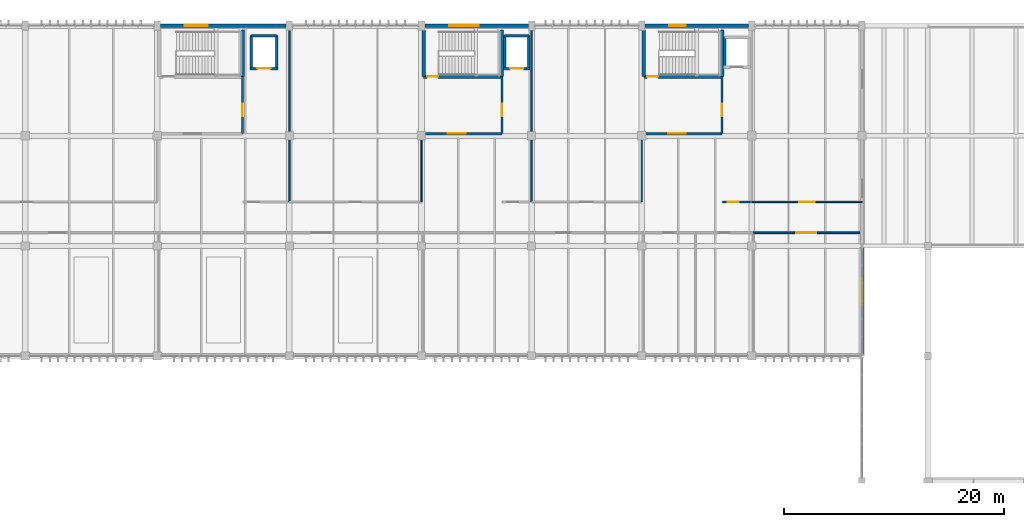
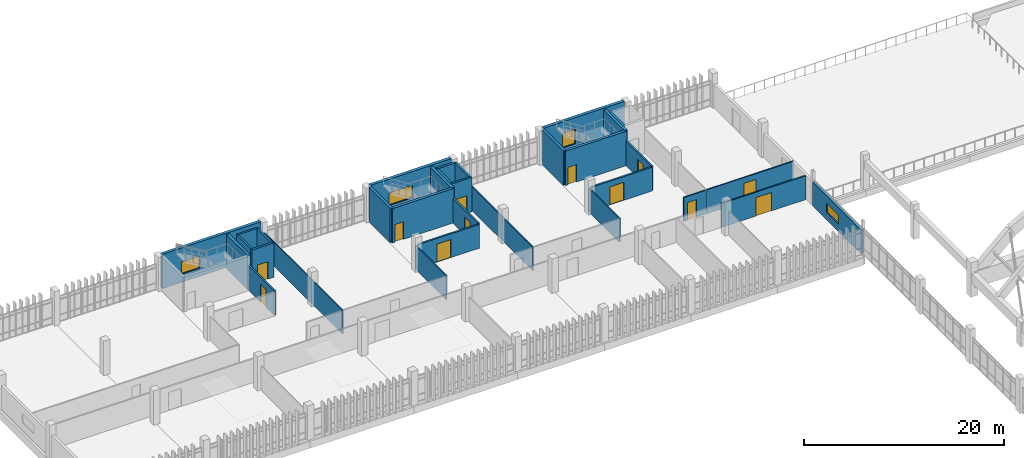
# One storey, part 105 of 111: 32 walls, 12 doors, 4 windows, 16 openings.
"""IFC4 building model written with IfcOpenShell, lengths in metres."""

from ifc_helpers import new_model, si_unit, direction, frame, frame_2d, origin, place, context, subcontext, project, spatial, rectangle, extrude, material, layer, layer_set, type_object, element, fill, save


model = new_model("IFC4")

# Units and contexts
model_context = context("Model", 3, precision=1e-05, world=origin(), true_north=direction((0.0, 1.0)))
body_context = subcontext(model_context, "Body", "Model", "MODEL_VIEW")
ifc_project = project(units=[si_unit("LENGTHUNIT", "METRE"), si_unit("AREAUNIT", "SQUARE_METRE"), si_unit("VOLUMEUNIT", "CUBIC_METRE"), si_unit("PLANEANGLEUNIT", "RADIAN"), si_unit("MASSUNIT", "GRAM", prefix="KILO")], contexts=[model_context])

# Site, building, storey
site_placement = place(None, origin())
site = spatial("IfcSite", under=ifc_project, at=site_placement, CompositionType="ELEMENT")
building_placement = place(site_placement, origin())
building = spatial("IfcBuilding", under=site, at=building_placement, Name="Mersad Railyard Sports Hall", CompositionType="ELEMENT")
storey_placement = place(building_placement, frame((0.0, 0.0, 9.0)))
storey = spatial("IfcBuildingStorey", under=building, at=storey_placement, Name="L02", CompositionType="ELEMENT", Elevation=9.0)

# Wall, opening, window
ifc_material_1 = material(Name="Architectural concrete C50/60", Category="concrete")
ifc_layer_1 = layer(ifc_material_1, 0.35009765625)
ifc_layer_set_1 = layer_set([ifc_layer_1], Name="Architectural concrete C50/60")
wall_type_1 = type_object("IfcWallType", Name="ARC-WL-EW02", PredefinedType="SOLIDWALL", material=ifc_layer_set_1)
wall_1_placement = place(storey_placement, frame((67.300048828125, 115.0, 0.0), z_axis=(0.0, 0.0, 1.0), x_axis=(1.0, 0.0, 0.0)))
wall_1 = element("IfcWall", 1, at=wall_1_placement, inside=storey, type_object=wall_type_1, Name="External wall EW02-0120", PredefinedType="SOLIDWALL", context=body_context, shape_type="SweptSolid", body=[
    extrude(rectangle(XDim=11.39990234375, YDim=0.35009765625, at=frame_2d((5.699951171875, 0.0))), origin(), (0.0, 0.0, 1.0), 4.199951171875),
])
opening_1_placement = place(wall_1_placement, frame((2.199951171875, 0.0, 1.0)))
opening_1 = element("IfcOpeningElement", 2, at=opening_1_placement, cuts=wall_1, Name="Opening W06", PredefinedType="OPENING", context=body_context, shape_type="SweptSolid", body=[
    extrude(rectangle(XDim=2.10009765625, YDim=1.5, at=frame_2d((1.050048828125, 0.75))), frame((0.0, 0.18505859375, 0.0), z_axis=(0.0, -1.0, 0.0), x_axis=(1.0, 0.0, 0.0)), (0.0, 0.0, 1.0), 0.3701171875),
])
ifc_material_2 = material(Name="Solar-control glass", Category="glass")
window_type_1 = type_object("IfcWindowType", Name="ARC-WN-W06", PartitioningType="DOUBLE_PANEL_VERTICAL", PredefinedType="WINDOW", material=ifc_material_2)
window_1_placement = place(opening_1_placement, origin())
window_1 = element("IfcWindow", 3, at=window_1_placement, inside=storey, type_object=window_type_1, Name="Window W06-0037", OverallHeight=1.5, OverallWidth=2.10009765625, PartitioningType="DOUBLE_PANEL_VERTICAL", PredefinedType="WINDOW", context=body_context, shape_type="SweptSolid", body=[
    extrude(rectangle(XDim=2.10009765625, YDim=1.5, at=frame_2d((1.050048828125, 0.75))), frame((0.0, 0.030029296875, 0.0), z_axis=(0.0, -1.0, 0.0), x_axis=(1.0, 0.0, 0.0)), (0.0, 0.0, 1.0), 0.06005859375),
])
fill(opening_1, window_1)

wall_2_placement = place(storey_placement, frame((91.300048828125, 115.0, 0.0), z_axis=(0.0, 0.0, 1.0), x_axis=(1.0, 0.0, 0.0)))
wall_2 = element("IfcWall", 4, at=wall_2_placement, inside=storey, type_object=wall_type_1, Name="External wall EW02-0121", PredefinedType="SOLIDWALL", context=body_context, shape_type="SweptSolid", body=[
    extrude(rectangle(XDim=9.39990234375, YDim=0.35009765625, at=frame_2d((4.699951171875, 0.0))), origin(), (0.0, 0.0, 1.0), 4.199951171875),
])
opening_2_placement = place(wall_2_placement, frame((2.199951171875, 0.0, 1.0)))
opening_2 = element("IfcOpeningElement", 5, at=opening_2_placement, cuts=wall_2, Name="Opening W08", PredefinedType="OPENING", context=body_context, shape_type="SweptSolid", body=[
    extrude(rectangle(XDim=2.699951171875, YDim=1.5, at=frame_2d((1.35009765625, 0.75))), frame((0.0, 0.18505859375, 0.0), z_axis=(0.0, -1.0, 0.0), x_axis=(1.0, 0.0, 0.0)), (0.0, 0.0, 1.0), 0.3701171875),
])
window_type_2 = type_object("IfcWindowType", Name="ARC-WN-W08", PartitioningType="DOUBLE_PANEL_VERTICAL", PredefinedType="WINDOW", material=ifc_material_2)
window_2_placement = place(opening_2_placement, origin())
window_2 = element("IfcWindow", 6, at=window_2_placement, inside=storey, type_object=window_type_2, Name="Window W08-0038", OverallHeight=1.5, OverallWidth=2.699951171875, PartitioningType="DOUBLE_PANEL_VERTICAL", PredefinedType="WINDOW", context=body_context, shape_type="SweptSolid", body=[
    extrude(rectangle(XDim=2.699951171875, YDim=1.5, at=frame_2d((1.35009765625, 0.75))), frame((0.0, 0.030029296875, 0.0), z_axis=(0.0, -1.0, 0.0), x_axis=(1.0, 0.0, 0.0)), (0.0, 0.0, 1.0), 0.06005859375),
])
fill(opening_2, window_2)

wall_3_placement = place(storey_placement, frame((111.300048828125, 115.0, 0.0), z_axis=(0.0, 0.0, 1.0), x_axis=(1.0, 0.0, 0.0)))
wall_3 = element("IfcWall", 7, at=wall_3_placement, inside=storey, type_object=wall_type_1, Name="External wall EW02-0122", PredefinedType="SOLIDWALL", context=body_context, shape_type="SweptSolid", body=[
    extrude(rectangle(XDim=9.39990234375, YDim=0.35009765625, at=frame_2d((4.699951171875, 0.0))), origin(), (0.0, 0.0, 1.0), 4.199951171875),
])
opening_3_placement = place(wall_3_placement, frame((2.199951171875, 0.0, 1.0)))
opening_3 = element("IfcOpeningElement", 8, at=opening_3_placement, cuts=wall_3, Name="Opening W10", PredefinedType="OPENING", context=body_context, shape_type="SweptSolid", body=[
    extrude(rectangle(XDim=1.5, YDim=1.800048828125, at=frame_2d((0.75, 0.89990234375))), frame((0.0, 0.18505859375, 0.0), z_axis=(0.0, -1.0, 0.0), x_axis=(1.0, 0.0, 0.0)), (0.0, 0.0, 1.0), 0.3701171875),
])
window_type_3 = type_object("IfcWindowType", Name="ARC-WN-W10", PartitioningType="SINGLE_PANEL", PredefinedType="WINDOW", material=ifc_material_2)
window_3_placement = place(opening_3_placement, origin())
window_3 = element("IfcWindow", 9, at=window_3_placement, inside=storey, type_object=window_type_3, Name="Window W10-0039", OverallHeight=1.800048828125, OverallWidth=1.5, PartitioningType="SINGLE_PANEL", PredefinedType="WINDOW", context=body_context, shape_type="SweptSolid", body=[
    extrude(rectangle(XDim=1.5, YDim=1.800048828125, at=frame_2d((0.75, 0.89990234375))), frame((0.0, 0.030029296875, 0.0), z_axis=(0.0, -1.0, 0.0), x_axis=(1.0, 0.0, 0.0)), (0.0, 0.0, 1.0), 0.06005859375),
])
fill(opening_3, window_3)

ifc_material_3 = material(Name="Precast concrete C45/55", Category="concrete")
ifc_layer_2 = layer(ifc_material_3, 0.280029296875)
ifc_layer_set_2 = layer_set([ifc_layer_2], Name="Precast concrete C45/55")
wall_type_2 = type_object("IfcWallType", Name="ARC-WL-EW03", PredefinedType="SOLIDWALL", material=ifc_layer_set_2)
wall_4_placement = place(storey_placement, frame((131.0, 94.85009765625, 0.0), z_axis=(0.0, 0.0, 1.0), x_axis=(0.0, -1.0, 0.0)))
wall_4 = element("IfcWall", 10, at=wall_4_placement, inside=storey, type_object=wall_type_2, Name="External wall EW03-0126", PredefinedType="SOLIDWALL", context=body_context, shape_type="SweptSolid", body=[
    extrude(rectangle(XDim=9.7001953125, YDim=0.280029296875, at=frame_2d((4.85009765625, 0.0))), origin(), (0.0, 0.0, 1.0), 2.905029296875),
])
opening_4_placement = place(wall_4_placement, frame((2.800048828125, 0.0, 0.89990234375)))
opening_4 = element("IfcOpeningElement", 11, at=opening_4_placement, cuts=wall_4, Name="Opening W23", PredefinedType="OPENING", context=body_context, shape_type="SweptSolid", body=[
    extrude(rectangle(XDim=2.39990234375, YDim=1.10009765625, at=frame_2d((1.199951171875, 0.550048828125))), frame((0.0, 0.14990234375, 0.0), z_axis=(0.0, -1.0, 0.0), x_axis=(1.0, 0.0, 0.0)), (0.0, 0.0, 1.0), 0.300048828125),
])
window_type_4 = type_object("IfcWindowType", Name="ARC-WN-W23", PartitioningType="DOUBLE_PANEL_VERTICAL", PredefinedType="WINDOW", material=ifc_material_2)
window_4_placement = place(opening_4_placement, origin())
window_4 = element("IfcWindow", 12, at=window_4_placement, inside=storey, type_object=window_type_4, Name="Window W23-0043", OverallHeight=1.10009765625, OverallWidth=2.39990234375, PartitioningType="DOUBLE_PANEL_VERTICAL", PredefinedType="WINDOW", context=body_context, shape_type="SweptSolid", body=[
    extrude(rectangle(XDim=2.39990234375, YDim=1.10009765625, at=frame_2d((1.199951171875, 0.550048828125))), frame((0.0, 0.030029296875, 0.0), z_axis=(0.0, -1.0, 0.0), x_axis=(1.0, 0.0, 0.0)), (0.0, 0.0, 1.0), 0.06005859375),
])
fill(opening_4, window_4)

# Wall, opening, door
ifc_layer_3 = layer(ifc_material_3, 0.199951171875)
ifc_layer_set_3 = layer_set([ifc_layer_3], Name="Precast concrete C45/55")
wall_type_3 = type_object("IfcWallType", Name="ARC-WL-PT01", PredefinedType="PARTITIONING", material=ifc_layer_set_3)
wall_5_placement = place(storey_placement, frame((74.75, 105.199951171875, 0.0), z_axis=(0.0, 0.0, 1.0), x_axis=(0.0, 1.0, 0.0)))
wall_5 = element("IfcWall", 13, at=wall_5_placement, inside=storey, type_object=wall_type_3, Name="Interior wall PT01-0173", PredefinedType="PARTITIONING", context=body_context, shape_type="SweptSolid", body=[
    extrude(rectangle(XDim=5.179931640625, YDim=0.199951171875, at=frame_2d((2.58984375, 0.0))), origin(), (0.0, 0.0, 1.0), 3.0048828125),
])
opening_5_placement = place(wall_5_placement, frame((1.60009765625, 0.0, 0.0)))
opening_5 = element("IfcOpeningElement", 14, at=opening_5_placement, cuts=wall_5, Name="Opening FD01", PredefinedType="OPENING", context=body_context, shape_type="SweptSolid", body=[
    extrude(rectangle(XDim=1.10009765625, YDim=2.14990234375, at=frame_2d((0.550048828125, 1.074951171875))), frame((0.0, 0.10986328125, 0.0), z_axis=(0.0, -1.0, 0.0), x_axis=(1.0, 0.0, 0.0)), (0.0, 0.0, 1.0), 0.219970703125),
])
ifc_material_4 = material(Name="Steel S355", Category="steel")
door_type_1 = type_object("IfcDoorType", Name="ARC-DR-FD01", OperationType="NOTDEFINED", PredefinedType="DOOR", material=ifc_material_4)
door_1_placement = place(opening_5_placement, origin())
door_1 = element("IfcDoor", 15, at=door_1_placement, inside=storey, type_object=door_type_1, Name="C1 lift-to-firefighting lobby door FD01-0055", OperationType="SINGLE_SWING_LEFT", OverallHeight=2.14990234375, OverallWidth=1.10009765625, PredefinedType="DOOR", context=body_context, shape_type="SweptSolid", body=[
    extrude(rectangle(XDim=1.10009765625, YDim=2.14990234375, at=frame_2d((0.550048828125, 1.074951171875))), frame((0.0, 0.02490234375, 0.0), z_axis=(0.0, -1.0, 0.0), x_axis=(1.0, 0.0, 0.0)), (0.0, 0.0, 1.0), 0.050048828125),
])
fill(opening_5, door_1)

wall_6_placement = place(storey_placement, frame((91.199951171875, 105.199951171875, 0.0), z_axis=(0.0, 0.0, 1.0), x_axis=(1.0, 0.0, 0.0)))
wall_6 = element("IfcWall", 16, at=wall_6_placement, inside=storey, type_object=wall_type_3, Name="Interior wall PT01-0214", PredefinedType="PARTITIONING", context=body_context, shape_type="SweptSolid", body=[
    extrude(rectangle(XDim=7.10009765625, YDim=0.199951171875, at=frame_2d((3.550048828125, 0.0))), origin(), (0.0, 0.0, 1.0), 2.905029296875),
])
opening_6_placement = place(wall_6_placement, frame((2.199951171875, 0.0, 0.0)))
opening_6 = element("IfcOpeningElement", 17, at=opening_6_placement, cuts=wall_6, Name="Opening FD04", PredefinedType="OPENING", context=body_context, shape_type="SweptSolid", body=[
    extrude(rectangle(XDim=1.60009765625, YDim=2.199951171875, at=frame_2d((0.800048828125, 1.10009765625))), frame((0.0, 0.10986328125, 0.0), z_axis=(0.0, -1.0, 0.0), x_axis=(1.0, 0.0, 0.0)), (0.0, 0.0, 1.0), 0.219970703125),
])
door_type_2 = type_object("IfcDoorType", Name="ARC-DR-FD04", OperationType="NOTDEFINED", PredefinedType="DOOR", material=ifc_material_4)
door_2_placement = place(opening_6_placement, origin())
door_2 = element("IfcDoor", 18, at=door_2_placement, inside=storey, type_object=door_type_2, Name="C2 firefighting lobby door FD04-0082", OperationType="DOUBLE_DOOR_SINGLE_SWING", OverallHeight=2.199951171875, OverallWidth=1.60009765625, PredefinedType="DOOR", context=body_context, shape_type="SweptSolid", body=[
    extrude(rectangle(XDim=1.60009765625, YDim=2.199951171875, at=frame_2d((0.800048828125, 1.10009765625))), frame((0.0, 0.02490234375, 0.0), z_axis=(0.0, -1.0, 0.0), x_axis=(1.0, 0.0, 0.0)), (0.0, 0.0, 1.0), 0.050048828125),
])
fill(opening_6, door_2)

wall_7_placement = place(storey_placement, frame((98.300048828125, 105.199951171875, 0.0), z_axis=(0.0, 0.0, 1.0), x_axis=(0.0, 1.0, 0.0)))
wall_7 = element("IfcWall", 19, at=wall_7_placement, inside=storey, type_object=wall_type_3, Name="Interior wall PT01-0215", PredefinedType="PARTITIONING", context=body_context, shape_type="SweptSolid", body=[
    extrude(rectangle(XDim=5.179931640625, YDim=0.199951171875, at=frame_2d((2.58984375, 0.0))), origin(), (0.0, 0.0, 1.0), 3.0048828125),
])
opening_7_placement = place(wall_7_placement, frame((1.60009765625, 0.0, 0.0)))
opening_7 = element("IfcOpeningElement", 20, at=opening_7_placement, cuts=wall_7, Name="Opening FD01", PredefinedType="OPENING", context=body_context, shape_type="SweptSolid", body=[
    extrude(rectangle(XDim=1.10009765625, YDim=2.14990234375, at=frame_2d((0.550048828125, 1.074951171875))), frame((0.0, 0.10986328125, 0.0), z_axis=(0.0, -1.0, 0.0), x_axis=(1.0, 0.0, 0.0)), (0.0, 0.0, 1.0), 0.219970703125),
])
door_3_placement = place(opening_7_placement, origin())
door_3 = element("IfcDoor", 21, at=door_3_placement, inside=storey, type_object=door_type_1, Name="C2 lift-to-firefighting lobby door FD01-0083", OperationType="SINGLE_SWING_RIGHT", OverallHeight=2.14990234375, OverallWidth=1.10009765625, PredefinedType="DOOR", context=body_context, shape_type="SweptSolid", body=[
    extrude(rectangle(XDim=1.10009765625, YDim=2.14990234375, at=frame_2d((0.550048828125, 1.074951171875))), frame((0.0, 0.02490234375, 0.0), z_axis=(0.0, -1.0, 0.0), x_axis=(1.0, 0.0, 0.0)), (0.0, 0.0, 1.0), 0.050048828125),
])
fill(opening_7, door_3)

wall_8_placement = place(storey_placement, frame((111.199951171875, 105.199951171875, 0.0), z_axis=(0.0, 0.0, 1.0), x_axis=(1.0, 0.0, 0.0)))
wall_8 = element("IfcWall", 22, at=wall_8_placement, inside=storey, type_object=wall_type_3, Name="Interior wall PT01-0256", PredefinedType="PARTITIONING", context=body_context, shape_type="SweptSolid", body=[
    extrude(rectangle(XDim=7.10009765625, YDim=0.199951171875, at=frame_2d((3.550048828125, 0.0))), origin(), (0.0, 0.0, 1.0), 2.905029296875),
])
opening_8_placement = place(wall_8_placement, frame((2.199951171875, 0.0, 0.0)))
opening_8 = element("IfcOpeningElement", 23, at=opening_8_placement, cuts=wall_8, Name="Opening FD04", PredefinedType="OPENING", context=body_context, shape_type="SweptSolid", body=[
    extrude(rectangle(XDim=1.60009765625, YDim=2.199951171875, at=frame_2d((0.800048828125, 1.10009765625))), frame((0.0, 0.10986328125, 0.0), z_axis=(0.0, -1.0, 0.0), x_axis=(1.0, 0.0, 0.0)), (0.0, 0.0, 1.0), 0.219970703125),
])
door_4_placement = place(opening_8_placement, origin())
door_4 = element("IfcDoor", 24, at=door_4_placement, inside=storey, type_object=door_type_2, Name="C3 firefighting lobby door FD04-0110", OperationType="DOUBLE_DOOR_SINGLE_SWING", OverallHeight=2.199951171875, OverallWidth=1.60009765625, PredefinedType="DOOR", context=body_context, shape_type="SweptSolid", body=[
    extrude(rectangle(XDim=1.60009765625, YDim=2.199951171875, at=frame_2d((0.800048828125, 1.10009765625))), frame((0.0, 0.02490234375, 0.0), z_axis=(0.0, -1.0, 0.0), x_axis=(1.0, 0.0, 0.0)), (0.0, 0.0, 1.0), 0.050048828125),
])
fill(opening_8, door_4)

wall_9_placement = place(storey_placement, frame((118.300048828125, 105.199951171875, 0.0), z_axis=(0.0, 0.0, 1.0), x_axis=(0.0, 1.0, 0.0)))
wall_9 = element("IfcWall", 25, at=wall_9_placement, inside=storey, type_object=wall_type_3, Name="Interior wall PT01-0257", PredefinedType="PARTITIONING", context=body_context, shape_type="SweptSolid", body=[
    extrude(rectangle(XDim=5.179931640625, YDim=0.199951171875, at=frame_2d((2.58984375, 0.0))), origin(), (0.0, 0.0, 1.0), 3.0048828125),
])
opening_9_placement = place(wall_9_placement, frame((1.60009765625, 0.0, 0.0)))
opening_9 = element("IfcOpeningElement", 26, at=opening_9_placement, cuts=wall_9, Name="Opening FD01", PredefinedType="OPENING", context=body_context, shape_type="SweptSolid", body=[
    extrude(rectangle(XDim=1.10009765625, YDim=2.14990234375, at=frame_2d((0.550048828125, 1.074951171875))), frame((0.0, 0.10986328125, 0.0), z_axis=(0.0, -1.0, 0.0), x_axis=(1.0, 0.0, 0.0)), (0.0, 0.0, 1.0), 0.219970703125),
])
door_5_placement = place(opening_9_placement, origin())
door_5 = element("IfcDoor", 27, at=door_5_placement, inside=storey, type_object=door_type_1, Name="C3 lift-to-firefighting lobby door FD01-0111", OperationType="SINGLE_SWING_LEFT", OverallHeight=2.14990234375, OverallWidth=1.10009765625, PredefinedType="DOOR", context=body_context, shape_type="SweptSolid", body=[
    extrude(rectangle(XDim=1.10009765625, YDim=2.14990234375, at=frame_2d((0.550048828125, 1.074951171875))), frame((0.0, 0.02490234375, 0.0), z_axis=(0.0, -1.0, 0.0), x_axis=(1.0, 0.0, 0.0)), (0.0, 0.0, 1.0), 0.050048828125),
])
fill(opening_9, door_5)

ifc_material_5 = material(Name="Gypsum plasterboard", Category="gypsum")
ifc_layer_4 = layer(ifc_material_5, 0.159912109375)
ifc_layer_set_4 = layer_set([ifc_layer_4], Name="Gypsum plasterboard")
wall_type_4 = type_object("IfcWallType", Name="ARC-WL-PT02", PredefinedType="PARTITIONING", material=ifc_layer_set_4)
wall_10_placement = place(storey_placement, frame((118.35009765625, 99.0, 0.0), z_axis=(0.0, 0.0, 1.0), x_axis=(1.0, 0.0, 0.0)))
wall_10 = element("IfcWall", 28, at=wall_10_placement, inside=storey, type_object=wall_type_4, Name="Interior wall PT02-0258", PredefinedType="PARTITIONING", context=body_context, shape_type="SweptSolid", body=[
    extrude(rectangle(XDim=2.5, YDim=0.159912109375, at=frame_2d((1.25, 0.0))), origin(), (0.0, 0.0, 1.0), 2.905029296875),
])
opening_10_placement = place(wall_10_placement, frame((0.449951171875, 0.0, 0.0)))
opening_10 = element("IfcOpeningElement", 29, at=opening_10_placement, cuts=wall_10, Name="Opening FD02", PredefinedType="OPENING", context=body_context, shape_type="SweptSolid", body=[
    extrude(rectangle(XDim=1.0, YDim=2.14990234375, at=frame_2d((0.5, 1.074951171875))), frame((0.0, 0.08984375, 0.0), z_axis=(0.0, -1.0, 0.0), x_axis=(1.0, 0.0, 0.0)), (0.0, 0.0, 1.0), 0.179931640625),
])
door_type_3 = type_object("IfcDoorType", Name="ARC-DR-FD02", OperationType="NOTDEFINED", PredefinedType="DOOR", material=ifc_material_4)
door_6_placement = place(opening_10_placement, origin())
door_6 = element("IfcDoor", 30, at=door_6_placement, inside=storey, type_object=door_type_3, Name="C3 lift lobby corridor door FD02-0112", OperationType="SINGLE_SWING_RIGHT", OverallHeight=2.14990234375, OverallWidth=1.0, PredefinedType="DOOR", context=body_context, shape_type="SweptSolid", body=[
    extrude(rectangle(XDim=1.0, YDim=2.14990234375, at=frame_2d((0.5, 1.074951171875))), frame((0.0, 0.02490234375, 0.0), z_axis=(0.0, -1.0, 0.0), x_axis=(1.0, 0.0, 0.0)), (0.0, 0.0, 1.0), 0.050048828125),
])
fill(opening_10, door_6)

wall_11_placement = place(storey_placement, frame((121.10009765625, 96.199951171875, 0.0), z_axis=(0.0, 0.0, 1.0), x_axis=(1.0, 0.0, 0.0)))
wall_11 = element("IfcWall", 31, at=wall_11_placement, inside=storey, type_object=wall_type_4, Name="Interior wall PT02-0465", PredefinedType="PARTITIONING", context=body_context, shape_type="SweptSolid", body=[
    extrude(rectangle(XDim=9.719970703125, YDim=0.159912109375, at=frame_2d((4.85986328125, 0.0))), origin(), (0.0, 0.0, 1.0), 2.905029296875),
])
opening_11_placement = place(wall_11_placement, frame((3.9599609375, 0.0, 0.0)))
opening_11 = element("IfcOpeningElement", 32, at=opening_11_placement, cuts=wall_11, Name="Opening FD05", PredefinedType="OPENING", context=body_context, shape_type="SweptSolid", body=[
    extrude(rectangle(XDim=1.800048828125, YDim=2.25, at=frame_2d((0.89990234375, 1.125))), frame((0.0, 0.08984375, 0.0), z_axis=(0.0, -1.0, 0.0), x_axis=(1.0, 0.0, 0.0)), (0.0, 0.0, 1.0), 0.179931640625),
])
door_type_4 = type_object("IfcDoorType", Name="ARC-DR-FD05", OperationType="NOTDEFINED", PredefinedType="DOOR", material=ifc_material_4)
door_7_placement = place(opening_11_placement, origin())
door_7 = element("IfcDoor", 33, at=door_7_placement, inside=storey, type_object=door_type_4, Name="L02 south room door FD05-0209", OperationType="DOUBLE_DOOR_SINGLE_SWING", OverallHeight=2.25, OverallWidth=1.800048828125, PredefinedType="DOOR", context=body_context, shape_type="SweptSolid", body=[
    extrude(rectangle(XDim=1.800048828125, YDim=2.25, at=frame_2d((0.89990234375, 1.125))), frame((0.0, 0.02490234375, 0.0), z_axis=(0.0, -1.0, 0.0), x_axis=(1.0, 0.0, 0.0)), (0.0, 0.0, 1.0), 0.050048828125),
])
fill(opening_11, door_7)

ifc_layer_5 = layer(ifc_material_5, 0.139892578125)
ifc_layer_set_5 = layer_set([ifc_layer_5], Name="Gypsum plasterboard")
wall_type_5 = type_object("IfcWallType", Name="ARC-WL-PT03", PredefinedType="PARTITIONING", material=ifc_layer_set_5)
wall_12_placement = place(storey_placement, frame((121.0, 99.0, 0.0), z_axis=(0.0, 0.0, 1.0), x_axis=(1.0, 0.0, 0.0)))
wall_12 = element("IfcWall", 34, at=wall_12_placement, inside=storey, type_object=wall_type_5, Name="Interior wall PT03-0475", PredefinedType="PARTITIONING", context=body_context, shape_type="SweptSolid", body=[
    extrude(rectangle(XDim=10.02001953125, YDim=0.139892578125, at=frame_2d((5.010009765625, 0.0))), origin(), (0.0, 0.0, 1.0), 2.905029296875),
])
opening_12_placement = place(wall_12_placement, frame((4.31005859375, 0.0, 0.0)))
opening_12 = element("IfcOpeningElement", 35, at=opening_12_placement, cuts=wall_12, Name="Opening FD09", PredefinedType="OPENING", context=body_context, shape_type="SweptSolid", body=[
    extrude(rectangle(XDim=1.39990234375, YDim=2.199951171875, at=frame_2d((0.699951171875, 1.10009765625))), frame((0.0, 0.079833984375, 0.0), z_axis=(0.0, -1.0, 0.0), x_axis=(1.0, 0.0, 0.0)), (0.0, 0.0, 1.0), 0.159912109375),
])
door_type_5 = type_object("IfcDoorType", Name="ARC-DR-FD09", OperationType="NOTDEFINED", PredefinedType="DOOR", material=ifc_material_4)
door_8_placement = place(opening_12_placement, origin())
door_8 = element("IfcDoor", 36, at=door_8_placement, inside=storey, type_object=door_type_5, Name="L02 north room door FD09-0213", OperationType="SINGLE_SWING_LEFT", OverallHeight=2.199951171875, OverallWidth=1.39990234375, PredefinedType="DOOR", context=body_context, shape_type="SweptSolid", body=[
    extrude(rectangle(XDim=1.39990234375, YDim=2.199951171875, at=frame_2d((0.699951171875, 1.10009765625))), frame((0.0, 0.02490234375, 0.0), z_axis=(0.0, -1.0, 0.0), x_axis=(1.0, 0.0, 0.0)), (0.0, 0.0, 1.0), 0.050048828125),
])
fill(opening_12, door_8)

# Walls
ifc_layer_6 = layer(ifc_material_5, 0.1201171875)
ifc_layer_set_6 = layer_set([ifc_layer_6], Name="Gypsum plasterboard")
wall_type_6 = type_object("IfcWallType", Name="ARC-WL-PT04", PredefinedType="PARTITIONING", material=ifc_layer_set_6)
wall_13_placement = place(storey_placement, frame((79.0, 99.0, 0.0), z_axis=(0.0, 0.0, 1.0), x_axis=(0.0, 1.0, 0.0)))
element("IfcWall", 37, at=wall_13_placement, inside=storey, type_object=wall_type_6, Name="Interior wall PT04-0470", PredefinedType="PARTITIONING", context=body_context, shape_type="SweptSolid", body=[
    extrude(rectangle(XDim=15.75, YDim=0.1201171875, at=frame_2d((7.875, 0.0))), origin(), (0.0, 0.0, 1.0), 2.905029296875),
])
wall_14_placement = place(storey_placement, frame((91.0, 99.0, 0.0), z_axis=(0.0, 0.0, 1.0), x_axis=(0.0, 1.0, 0.0)))
element("IfcWall", 38, at=wall_14_placement, inside=storey, type_object=wall_type_6, Name="Interior wall PT04-0471", PredefinedType="PARTITIONING", context=body_context, shape_type="SweptSolid", body=[
    extrude(rectangle(XDim=6.199951171875, YDim=0.1201171875, at=frame_2d((3.10009765625, 0.0))), origin(), (0.0, 0.0, 1.0), 2.905029296875),
])
wall_15_placement = place(storey_placement, frame((101.0, 99.0, 0.0), z_axis=(0.0, 0.0, 1.0), x_axis=(0.0, 1.0, 0.0)))
element("IfcWall", 39, at=wall_15_placement, inside=storey, type_object=wall_type_6, Name="Interior wall PT04-0473", PredefinedType="PARTITIONING", context=body_context, shape_type="SweptSolid", body=[
    extrude(rectangle(XDim=15.75, YDim=0.1201171875, at=frame_2d((7.875, 0.0))), origin(), (0.0, 0.0, 1.0), 2.905029296875),
])
wall_16_placement = place(storey_placement, frame((111.0, 99.0, 0.0), z_axis=(0.0, 0.0, 1.0), x_axis=(0.0, 1.0, 0.0)))
element("IfcWall", 40, at=wall_16_placement, inside=storey, type_object=wall_type_6, Name="Interior wall PT04-0474", PredefinedType="PARTITIONING", context=body_context, shape_type="SweptSolid", body=[
    extrude(rectangle(XDim=6.199951171875, YDim=0.1201171875, at=frame_2d((3.10009765625, 0.0))), origin(), (0.0, 0.0, 1.0), 2.905029296875),
])
ifc_material_6 = material(Name="Concrete C40/50", Category="concrete")
ifc_layer_7 = layer(ifc_material_6, 0.320068359375)
ifc_layer_set_7 = layer_set([ifc_layer_7], Name="Concrete C40/50")
wall_type_7 = type_object("IfcWallType", Name="STR-WL-SW02", PredefinedType="SHEAR", material=ifc_layer_set_7)
wall_17_placement = place(storey_placement, frame((74.75, 110.3798828125, 0.0), z_axis=(0.0, 0.0, 1.0), x_axis=(0.0, 1.0, 0.0)))
element("IfcWall", 41, at=wall_17_placement, inside=storey, type_object=wall_type_7, Name="Interior wall SW02-0170", PredefinedType="SHEAR", context=body_context, shape_type="SweptSolid", body=[
    extrude(rectangle(XDim=4.240234375, YDim=0.320068359375, at=frame_2d((2.1201171875, 0.0))), origin(), (0.0, 0.0, 1.0), 4.199951171875),
])

# Wall, opening, door
wall_18_placement = place(storey_placement, frame((91.199951171875, 110.3798828125, 0.0), z_axis=(0.0, 0.0, 1.0), x_axis=(1.0, 0.0, 0.0)))
wall_18 = element("IfcWall", 42, at=wall_18_placement, inside=storey, type_object=wall_type_7, Name="Interior wall SW02-0211", PredefinedType="SHEAR", context=body_context, shape_type="SweptSolid", body=[
    extrude(rectangle(XDim=7.10009765625, YDim=0.320068359375, at=frame_2d((3.550048828125, 0.0))), origin(), (0.0, 0.0, 1.0), 4.199951171875),
])
opening_13_placement = place(wall_18_placement, frame((0.300048828125, 0.0, 0.0)))
opening_13 = element("IfcOpeningElement", 43, at=opening_13_placement, cuts=wall_18, Name="Opening FD02", PredefinedType="OPENING", context=body_context, shape_type="SweptSolid", body=[
    extrude(rectangle(XDim=1.0, YDim=2.14990234375, at=frame_2d((0.5, 1.074951171875))), frame((0.0, 0.169921875, 0.0), z_axis=(0.0, -1.0, 0.0), x_axis=(1.0, 0.0, 0.0)), (0.0, 0.0, 1.0), 0.340087890625),
])
door_9_placement = place(opening_13_placement, origin())
door_9 = element("IfcDoor", 44, at=door_9_placement, inside=storey, type_object=door_type_3, Name="C2 stair entrance door FD02-0081", OperationType="SINGLE_SWING_LEFT", OverallHeight=2.14990234375, OverallWidth=1.0, PredefinedType="DOOR", context=body_context, shape_type="SweptSolid", body=[
    extrude(rectangle(XDim=1.0, YDim=2.14990234375, at=frame_2d((0.5, 1.074951171875))), frame((0.0, 0.02490234375, 0.0), z_axis=(0.0, -1.0, 0.0), x_axis=(1.0, 0.0, 0.0)), (0.0, 0.0, 1.0), 0.050048828125),
])
fill(opening_13, door_9)

# Walls
for number, where, z_axis, x_axis, name in (
    (45, (98.300048828125, 110.3798828125, 0.0), (0.0, 0.0, 1.0), (0.0, 1.0, 0.0), "Interior wall SW02-0212"),
    (46, (91.199951171875, 114.6201171875, 0.0), (0.0, 0.0, 1.0), (0.0, -1.0, 0.0), "Interior wall SW02-0213"),
):
    element("IfcWall", number, at=place(storey_placement, frame(where, z_axis=z_axis, x_axis=x_axis)), inside=storey, type_object=wall_type_7, Name=name, PredefinedType="SHEAR", context=body_context, shape_type="SweptSolid", body=[
        extrude(rectangle(XDim=4.240234375, YDim=0.320068359375, at=frame_2d((2.1201171875, 0.0))), origin(), (0.0, 0.0, 1.0), 4.199951171875),
    ])

# Wall, opening, door
wall_19_placement = place(storey_placement, frame((111.199951171875, 110.3798828125, 0.0), z_axis=(0.0, 0.0, 1.0), x_axis=(1.0, 0.0, 0.0)))
wall_19 = element("IfcWall", 47, at=wall_19_placement, inside=storey, type_object=wall_type_7, Name="Interior wall SW02-0253", PredefinedType="SHEAR", context=body_context, shape_type="SweptSolid", body=[
    extrude(rectangle(XDim=7.10009765625, YDim=0.320068359375, at=frame_2d((3.550048828125, 0.0))), origin(), (0.0, 0.0, 1.0), 4.199951171875),
])
opening_14_placement = place(wall_19_placement, frame((0.300048828125, 0.0, 0.0)))
opening_14 = element("IfcOpeningElement", 48, at=opening_14_placement, cuts=wall_19, Name="Opening FD02", PredefinedType="OPENING", context=body_context, shape_type="SweptSolid", body=[
    extrude(rectangle(XDim=1.0, YDim=2.14990234375, at=frame_2d((0.5, 1.074951171875))), frame((0.0, 0.169921875, 0.0), z_axis=(0.0, -1.0, 0.0), x_axis=(1.0, 0.0, 0.0)), (0.0, 0.0, 1.0), 0.340087890625),
])
door_10_placement = place(opening_14_placement, origin())
door_10 = element("IfcDoor", 49, at=door_10_placement, inside=storey, type_object=door_type_3, Name="C3 stair entrance door FD02-0109", OperationType="SINGLE_SWING_RIGHT", OverallHeight=2.14990234375, OverallWidth=1.0, PredefinedType="DOOR", context=body_context, shape_type="SweptSolid", body=[
    extrude(rectangle(XDim=1.0, YDim=2.14990234375, at=frame_2d((0.5, 1.074951171875))), frame((0.0, 0.02490234375, 0.0), z_axis=(0.0, -1.0, 0.0), x_axis=(1.0, 0.0, 0.0)), (0.0, 0.0, 1.0), 0.050048828125),
])
fill(opening_14, door_10)

# Walls
for number, where, z_axis, x_axis, name in (
    (50, (118.300048828125, 110.3798828125, 0.0), (0.0, 0.0, 1.0), (0.0, 1.0, 0.0), "Interior wall SW02-0254"),
    (51, (111.199951171875, 114.6201171875, 0.0), (0.0, 0.0, 1.0), (0.0, -1.0, 0.0), "Interior wall SW02-0255"),
):
    element("IfcWall", number, at=place(storey_placement, frame(where, z_axis=z_axis, x_axis=x_axis)), inside=storey, type_object=wall_type_7, Name=name, PredefinedType="SHEAR", context=body_context, shape_type="SweptSolid", body=[
        extrude(rectangle(XDim=4.240234375, YDim=0.320068359375, at=frame_2d((2.1201171875, 0.0))), origin(), (0.0, 0.0, 1.0), 4.199951171875),
    ])
ifc_layer_8 = layer(ifc_material_6, 0.239990234375)
ifc_layer_set_8 = layer_set([ifc_layer_8], Name="Concrete C40/50")
wall_type_8 = type_object("IfcWallType", Name="STR-WL-SW03", PredefinedType="SHEAR", material=ifc_layer_set_8)
for number, where, z_axis, x_axis, name in (
    (52, (75.550048828125, 111.10009765625, 0.0), (0.0, 0.0, 1.0), (0.0, 1.0, 0.0), "Interior wall SW03-0012"),
    (53, (77.85009765625, 114.10009765625, 0.0), (0.0, 0.0, 1.0), (0.0, -1.0, 0.0), "Interior wall SW03-0013"),
):
    element("IfcWall", number, at=place(storey_placement, frame(where, z_axis=z_axis, x_axis=x_axis)), inside=storey, type_object=wall_type_8, Name=name, PredefinedType="SHEAR", context=body_context, shape_type="SweptSolid", body=[
        extrude(rectangle(XDim=3.0, YDim=0.239990234375, at=frame_2d((1.5, 0.0))), origin(), (0.0, 0.0, 1.0), 4.199951171875),
    ])
wall_20_placement = place(storey_placement, frame((75.550048828125, 114.10009765625, 0.0), z_axis=(0.0, 0.0, 1.0), x_axis=(1.0, 0.0, 0.0)))
element("IfcWall", 54, at=wall_20_placement, inside=storey, type_object=wall_type_8, Name="Interior wall SW03-0014", PredefinedType="SHEAR", context=body_context, shape_type="SweptSolid", body=[
    extrude(rectangle(XDim=2.300048828125, YDim=0.239990234375, at=frame_2d((1.14990234375, 0.0))), origin(), (0.0, 0.0, 1.0), 4.199951171875),
])

# Wall, opening, door
wall_21_placement = place(storey_placement, frame((77.969970703125, 111.10009765625, 0.0), z_axis=(0.0, 0.0, 1.0), x_axis=(-1.0, 0.0, 0.0)))
wall_21 = element("IfcWall", 55, at=wall_21_placement, inside=storey, type_object=wall_type_8, Name="Interior wall SW03-0015", PredefinedType="SHEAR", context=body_context, shape_type="SweptSolid", body=[
    extrude(rectangle(XDim=2.5400390625, YDim=0.239990234375, at=frame_2d((1.27001953125, 0.0))), origin(), (0.0, 0.0, 1.0), 4.199951171875),
])
opening_15_placement = place(wall_21_placement, frame((0.669921875, 0.0, 0.0)))
opening_15 = element("IfcOpeningElement", 56, at=opening_15_placement, cuts=wall_21, Name="Opening LD02", PredefinedType="OPENING", context=body_context, shape_type="SweptSolid", body=[
    extrude(rectangle(XDim=1.199951171875, YDim=2.14990234375, at=frame_2d((0.60009765625, 1.074951171875))), frame((0.0, 0.1298828125, 0.0), z_axis=(0.0, -1.0, 0.0), x_axis=(1.0, 0.0, 0.0)), (0.0, 0.0, 1.0), 0.260009765625),
])
door_type_6 = type_object("IfcDoorType", Name="ARC-DR-LD02", OperationType="NOTDEFINED", PredefinedType="USERDEFINED", material=ifc_material_4)
door_11_placement = place(opening_15_placement, origin())
door_11 = element("IfcDoor", 57, at=door_11_placement, inside=storey, type_object=door_type_6, Name="Lift FFL-01 landing door LD02-0004", ObjectType="LANDING DOOR", OperationType="DOUBLE_DOOR_SLIDING", OverallHeight=2.14990234375, OverallWidth=1.199951171875, PredefinedType="USERDEFINED", context=body_context, shape_type="SweptSolid", body=[
    extrude(rectangle(XDim=1.199951171875, YDim=2.14990234375, at=frame_2d((0.60009765625, 1.074951171875))), frame((0.0, 0.02490234375, 0.0), z_axis=(0.0, -1.0, 0.0), x_axis=(1.0, 0.0, 0.0)), (0.0, 0.0, 1.0), 0.050048828125),
])
fill(opening_15, door_11)

# Walls
for number, where, z_axis, x_axis, name in (
    (58, (98.550048828125, 111.10009765625, 0.0), (0.0, 0.0, 1.0), (0.0, 1.0, 0.0), "Interior wall SW03-0039"),
    (59, (100.75, 114.10009765625, 0.0), (0.0, 0.0, 1.0), (0.0, -1.0, 0.0), "Interior wall SW03-0040"),
):
    element("IfcWall", number, at=place(storey_placement, frame(where, z_axis=z_axis, x_axis=x_axis)), inside=storey, type_object=wall_type_8, Name=name, PredefinedType="SHEAR", context=body_context, shape_type="SweptSolid", body=[
        extrude(rectangle(XDim=3.0, YDim=0.239990234375, at=frame_2d((1.5, 0.0))), origin(), (0.0, 0.0, 1.0), 4.199951171875),
    ])
wall_22_placement = place(storey_placement, frame((98.550048828125, 114.10009765625, 0.0), z_axis=(0.0, 0.0, 1.0), x_axis=(1.0, 0.0, 0.0)))
element("IfcWall", 60, at=wall_22_placement, inside=storey, type_object=wall_type_8, Name="Interior wall SW03-0041", PredefinedType="SHEAR", context=body_context, shape_type="SweptSolid", body=[
    extrude(rectangle(XDim=2.199951171875, YDim=0.239990234375, at=frame_2d((1.10009765625, 0.0))), origin(), (0.0, 0.0, 1.0), 4.199951171875),
])

# Wall, opening, door
wall_23_placement = place(storey_placement, frame((100.8701171875, 111.10009765625, 0.0), z_axis=(0.0, 0.0, 1.0), x_axis=(-1.0, 0.0, 0.0)))
wall_23 = element("IfcWall", 61, at=wall_23_placement, inside=storey, type_object=wall_type_8, Name="Interior wall SW03-0042", PredefinedType="SHEAR", context=body_context, shape_type="SweptSolid", body=[
    extrude(rectangle(XDim=2.440185546875, YDim=0.239990234375, at=frame_2d((1.22021484375, 0.0))), origin(), (0.0, 0.0, 1.0), 4.199951171875),
])
opening_16_placement = place(wall_23_placement, frame((0.6201171875, 0.0, 0.0)))
opening_16 = element("IfcOpeningElement", 62, at=opening_16_placement, cuts=wall_23, Name="Opening LD02", PredefinedType="OPENING", context=body_context, shape_type="SweptSolid", body=[
    extrude(rectangle(XDim=1.199951171875, YDim=2.14990234375, at=frame_2d((0.60009765625, 1.074951171875))), frame((0.0, 0.1298828125, 0.0), z_axis=(0.0, -1.0, 0.0), x_axis=(1.0, 0.0, 0.0)), (0.0, 0.0, 1.0), 0.260009765625),
])
door_12_placement = place(opening_16_placement, origin())
door_12 = element("IfcDoor", 63, at=door_12_placement, inside=storey, type_object=door_type_6, Name="Lift FFL-02 landing door LD02-0011", ObjectType="LANDING DOOR", OperationType="DOUBLE_DOOR_SLIDING", OverallHeight=2.14990234375, OverallWidth=1.199951171875, PredefinedType="USERDEFINED", context=body_context, shape_type="SweptSolid", body=[
    extrude(rectangle(XDim=1.199951171875, YDim=2.14990234375, at=frame_2d((0.60009765625, 1.074951171875))), frame((0.0, 0.02490234375, 0.0), z_axis=(0.0, -1.0, 0.0), x_axis=(1.0, 0.0, 0.0)), (0.0, 0.0, 1.0), 0.050048828125),
])
fill(opening_16, door_12)

# Wall
wall_24_placement = place(storey_placement, frame((118.550048828125, 111.25, 0.0), z_axis=(0.0, 0.0, 1.0), x_axis=(0.0, 1.0, 0.0)))
element("IfcWall", 64, at=wall_24_placement, inside=storey, type_object=wall_type_8, Name="Interior wall SW03-0066", PredefinedType="SHEAR", context=body_context, shape_type="SweptSolid", body=[
    extrude(rectangle(XDim=2.699951171875, YDim=0.239990234375, at=frame_2d((1.35009765625, 0.0))), origin(), (0.0, 0.0, 1.0), 4.199951171875),
])

save(model, "model.ifc")
